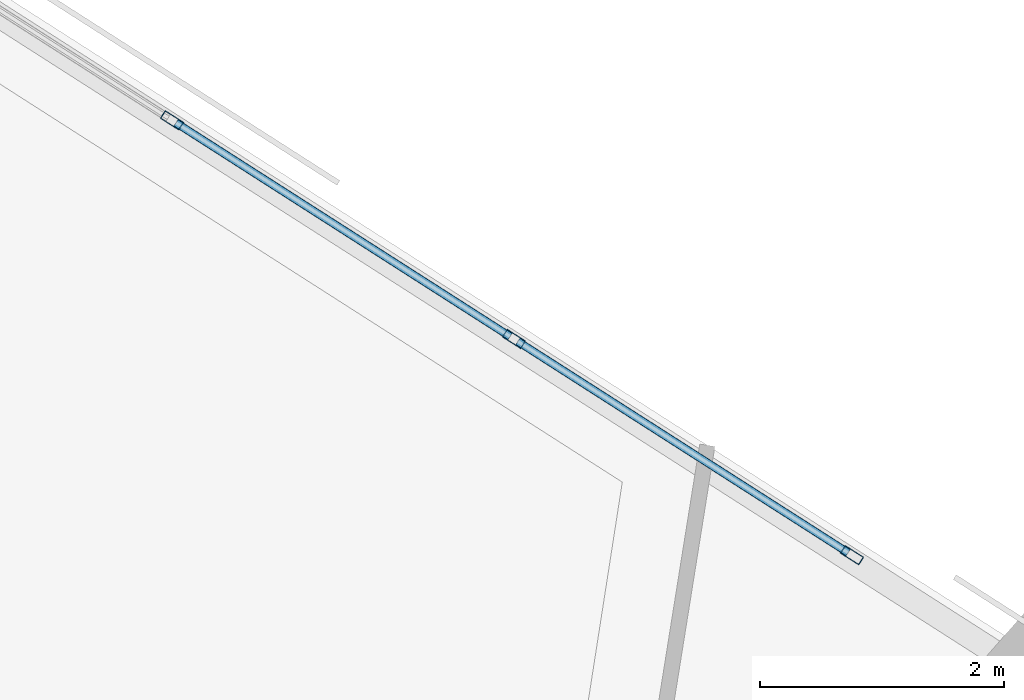
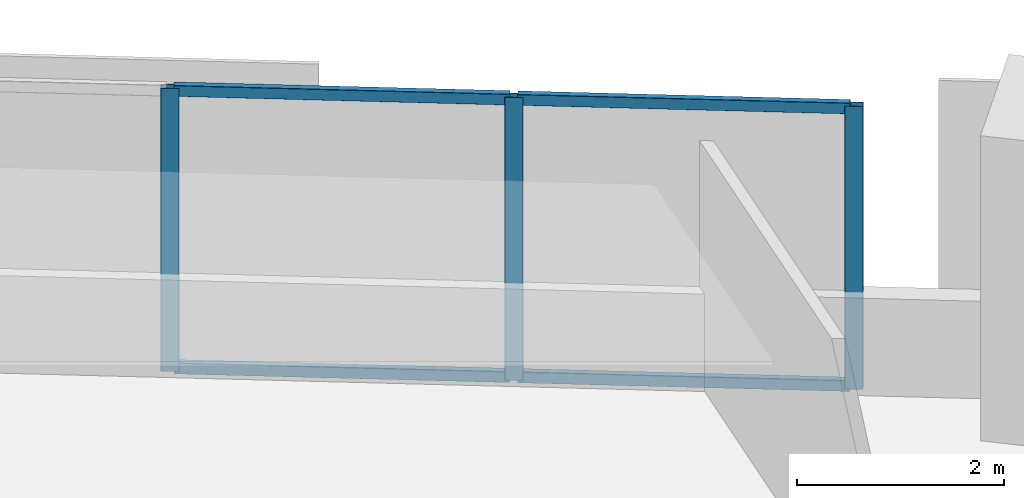
# One storey, part 10 of 16: 7 members, 1 element without a shape of its own.
"""IFC4 building model written with IfcOpenShell, lengths in metres."""

from ifc_helpers import new_model, si_unit, direction, frame, origin, origin_2d, place, context, subcontext, project, spatial, hollow_rectangle, extrude, material, material_profile, profile_set, type_object, element, aggregate, save


model = new_model("IFC4")

# Units and contexts
model_context = context("Model", 3, precision=1e-05, world=origin(), true_north=direction((0.0, 1.0)))
body_context = subcontext(model_context, "Body", "Model", "MODEL_VIEW")
ifc_project = project(units=[si_unit("LENGTHUNIT", "METRE"), si_unit("AREAUNIT", "SQUARE_METRE"), si_unit("VOLUMEUNIT", "CUBIC_METRE"), si_unit("PLANEANGLEUNIT", "RADIAN"), si_unit("MASSUNIT", "GRAM", prefix="KILO")], contexts=[model_context])

# Site, building, storey
site_placement = place(None, origin())
site = spatial("IfcSite", under=ifc_project, at=site_placement, CompositionType="ELEMENT")
building_placement = place(site_placement, origin())
building = spatial("IfcBuilding", under=site, at=building_placement, Name="Narakoshi Arena Tower", CompositionType="ELEMENT")
storey_placement = place(building_placement, frame((0.0, 0.0, 88.5)))
storey = spatial("IfcBuildingStorey", under=building, at=storey_placement, Name="L23", CompositionType="ELEMENT", Elevation=88.5)

# Curtain wall, members
ifc_material = material(Name="Anodised bronze aluminium 6063-T6", Category="aluminium")
curtain_wall_type = type_object("IfcCurtainWallType", Name="CW-HYP-LOW", PredefinedType="NOTDEFINED", material=ifc_material)
curtain_wall_placement = place(storey_placement, origin())
curtain_wall = element("IfcCurtainWall", 1, at=curtain_wall_placement, inside=storey, type_object=curtain_wall_type, Name="L23 Folded Hypotenuse Curtain Wall 2-2", PredefinedType="NOTDEFINED")
ifc_material_profile_1 = material_profile(ifc_material, hollow_rectangle(XDim=0.074951171875, YDim=0.179931640625, WallThickness=0.00390625, OuterFilletRadius=0.0048828125, at=origin_2d()), Name="MUL180x75x4")
ifc_profile_set_1 = profile_set([ifc_material_profile_1], Name="Anodised bronze aluminium 6063-T6")
member_type_1 = type_object("IfcMemberType", Name="MEM-MUL-180", PredefinedType="MULLION", material=ifc_profile_set_1)
member_1_placement = place(storey_placement, frame((83.41943359375, 66.22705078125, 0.0), z_axis=(0.0, 0.0, 1.0), x_axis=(-0.538829098714, -0.842415100992, 0.0)))
member_1 = element("IfcMember", 2, at=member_1_placement, type_object=member_type_1, Name="CW-01 mullion 1", PredefinedType="MULLION", context=body_context, shape_type="SweptSolid", body=[
    extrude(hollow_rectangle(XDim=0.074951171875, YDim=0.179931640625, WallThickness=0.00390625, OuterFilletRadius=0.0048828125, at=origin_2d()), origin(), (0.0, 0.0, 1.0), 3.340087890625),
])
member_2_placement = place(storey_placement, frame((80.6474609375, 68.000244140625, 0.0), z_axis=(0.0, 0.0, 1.0), x_axis=(-0.538829098714, -0.842415100992, 0.0)))
member_2 = element("IfcMember", 3, at=member_2_placement, type_object=member_type_1, Name="CW-01 mullion 2", PredefinedType="MULLION", context=body_context, shape_type="SweptSolid", body=[
    extrude(hollow_rectangle(XDim=0.074951171875, YDim=0.179931640625, WallThickness=0.00390625, OuterFilletRadius=0.0048828125, at=origin_2d()), origin(), (0.0, 0.0, 1.0), 3.340087890625),
])
member_3_placement = place(storey_placement, frame((77.843505859375, 69.79345703125, 0.0), z_axis=(0.0, 0.0, 1.0), x_axis=(-0.538829098714, -0.842415100992, 0.0)))
member_3 = element("IfcMember", 4, at=member_3_placement, type_object=member_type_1, Name="CW-01 mullion 3", PredefinedType="MULLION", context=body_context, shape_type="SweptSolid", body=[
    extrude(hollow_rectangle(XDim=0.074951171875, YDim=0.179931640625, WallThickness=0.00390625, OuterFilletRadius=0.0048828125, at=origin_2d()), origin(), (0.0, 0.0, 1.0), 3.340087890625),
])
ifc_material_profile_2 = material_profile(ifc_material, hollow_rectangle(XDim=0.06494140625, YDim=0.1298828125, WallThickness=0.00390625, OuterFilletRadius=0.0048828125, at=origin_2d()), Name="TRN130x65x4")
ifc_profile_set_2 = profile_set([ifc_material_profile_2], Name="Anodised bronze aluminium 6063-T6")
member_type_2 = type_object("IfcMemberType", Name="MEM-TRN-130", PredefinedType="USERDEFINED", material=ifc_profile_set_2)
member_4_placement = place(storey_placement, frame((83.387939453125, 66.247314453125, 0.032470703125), z_axis=(-0.842424416084, 0.538814535053, 0.0), x_axis=(-0.538814535053, -0.842424416084, 0.0)))
member_4 = element("IfcMember", 5, at=member_4_placement, type_object=member_type_2, Name="CW-01 transom 1.1", ObjectType="TRANSOM", PredefinedType="USERDEFINED", context=body_context, shape_type="SweptSolid", body=[
    extrude(hollow_rectangle(XDim=0.06494140625, YDim=0.1298828125, WallThickness=0.00390625, OuterFilletRadius=0.0048828125, at=origin_2d()), origin(), (0.0, 0.0, 1.0), 3.2158203125),
])
member_5_placement = place(storey_placement, frame((83.387939453125, 66.247314453125, 3.3076171875), z_axis=(-0.842424416084, 0.538814535053, 0.0), x_axis=(-0.538814535053, -0.842424416084, 0.0)))
member_5 = element("IfcMember", 6, at=member_5_placement, type_object=member_type_2, Name="CW-01 transom 1.2", ObjectType="TRANSOM", PredefinedType="USERDEFINED", context=body_context, shape_type="SweptSolid", body=[
    extrude(hollow_rectangle(XDim=0.06494140625, YDim=0.1298828125, WallThickness=0.00390625, OuterFilletRadius=0.0048828125, at=origin_2d()), origin(), (0.0, 0.0, 1.0), 3.2158203125),
])
member_6_placement = place(storey_placement, frame((80.61572265625, 68.020263671875, 0.032470703125), z_axis=(-0.842407668774, 0.5388407182, 0.0), x_axis=(-0.5388407182, -0.842407668774, 0.0)))
member_6 = element("IfcMember", 7, at=member_6_placement, type_object=member_type_2, Name="CW-01 transom 2.1", ObjectType="TRANSOM", PredefinedType="USERDEFINED", context=body_context, shape_type="SweptSolid", body=[
    extrude(hollow_rectangle(XDim=0.06494140625, YDim=0.1298828125, WallThickness=0.00390625, OuterFilletRadius=0.0048828125, at=origin_2d()), origin(), (0.0, 0.0, 1.0), 3.253173828125),
])
member_7_placement = place(storey_placement, frame((80.61572265625, 68.020263671875, 3.3076171875), z_axis=(-0.842407668774, 0.5388407182, 0.0), x_axis=(-0.5388407182, -0.842407668774, 0.0)))
member_7 = element("IfcMember", 8, at=member_7_placement, type_object=member_type_2, Name="CW-01 transom 2.2", ObjectType="TRANSOM", PredefinedType="USERDEFINED", context=body_context, shape_type="SweptSolid", body=[
    extrude(hollow_rectangle(XDim=0.06494140625, YDim=0.1298828125, WallThickness=0.00390625, OuterFilletRadius=0.0048828125, at=origin_2d()), origin(), (0.0, 0.0, 1.0), 3.253173828125),
])
aggregate(curtain_wall, [member_1, member_2, member_3, member_4, member_5, member_6, member_7])

save(model, "model.ifc")
